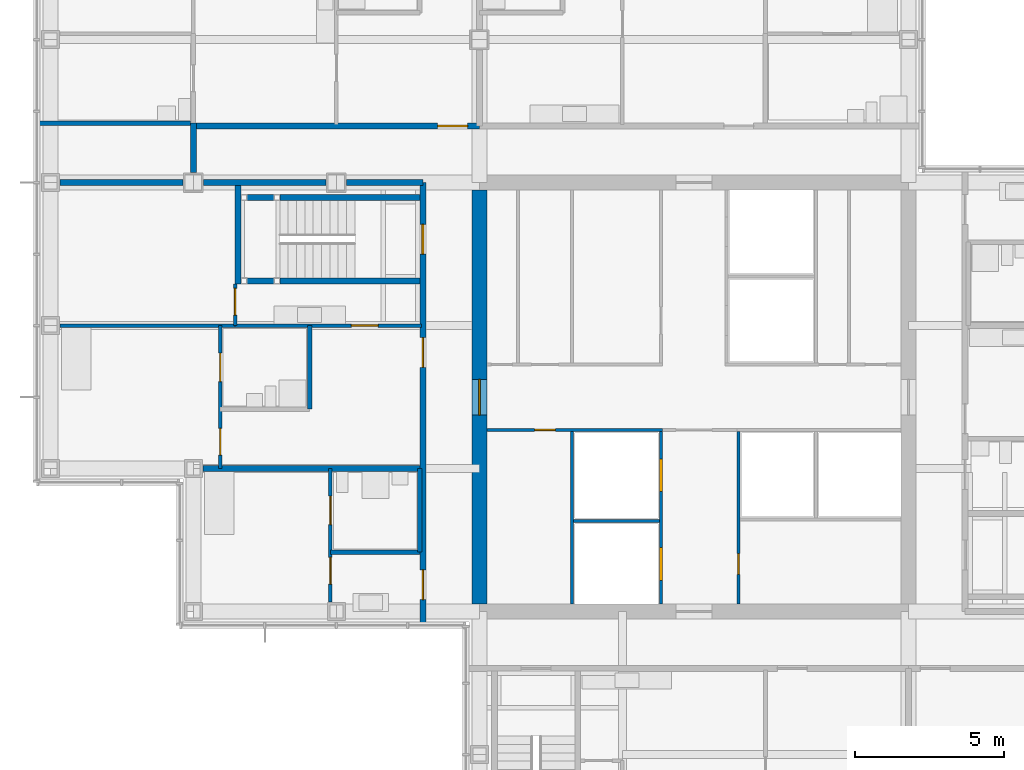
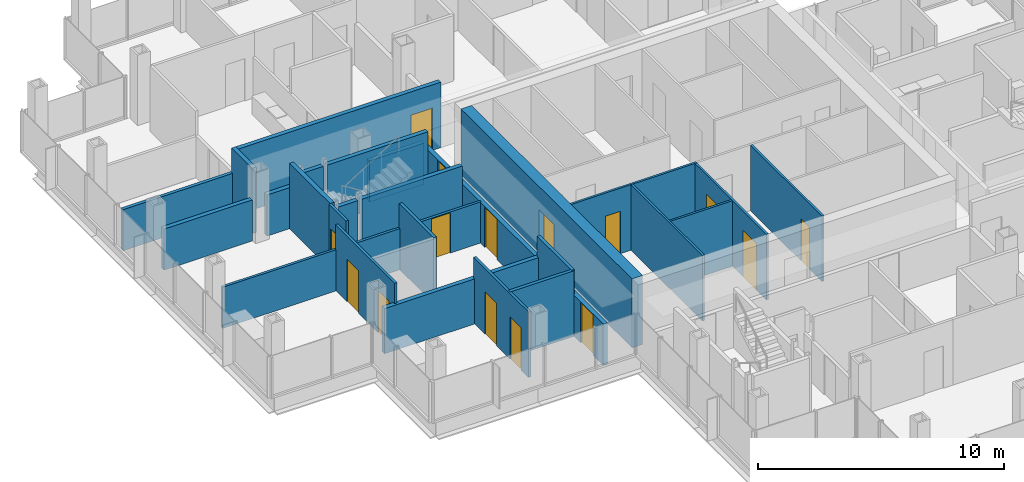
# One storey, part 14 of 20: 27 walls, 15 doors, 15 openings.
"""IFC4 building model written with IfcOpenShell, lengths in metres."""

from ifc_helpers import new_model, si_unit, direction, frame, frame_2d, origin, place, context, subcontext, project, spatial, rectangle, extrude, material, layer, layer_set, type_object, element, fill, save


model = new_model("IFC4")

# Units and contexts
model_context = context("Model", 3, precision=1e-05, world=origin(), true_north=direction((0.0, 1.0)))
body_context = subcontext(model_context, "Body", "Model", "MODEL_VIEW")
ifc_project = project(units=[si_unit("LENGTHUNIT", "METRE"), si_unit("AREAUNIT", "SQUARE_METRE"), si_unit("VOLUMEUNIT", "CUBIC_METRE"), si_unit("PLANEANGLEUNIT", "RADIAN"), si_unit("MASSUNIT", "GRAM", prefix="KILO")], contexts=[model_context])

# Site, building, storey
site_placement = place(None, origin())
site = spatial("IfcSite", under=ifc_project, at=site_placement, CompositionType="ELEMENT")
building_placement = place(site_placement, origin())
building = spatial("IfcBuilding", under=site, at=building_placement, Name="Kvirike Care Tower", CompositionType="ELEMENT")
storey_placement = place(building_placement, frame((0.0, 0.0, 133.0)))
storey = spatial("IfcBuildingStorey", under=building, at=storey_placement, Name="L36", CompositionType="ELEMENT", Elevation=133.0)

# Walls
ifc_material_1 = material(Name="Moisture-resistant board partition", Category="gypsum")
ifc_layer_1 = layer(ifc_material_1, 0.14990234375)
ifc_layer_set_1 = layer_set([ifc_layer_1], Name="BATHROOM WALL 150")
wall_type_1 = type_object("IfcWallType", Name="BATHROOM WALL 150", PredefinedType="PARTITIONING", material=ifc_layer_set_1)
wall_1_placement = place(storey_placement, frame((8.699951171875, 38.39990234375, 0.0), z_axis=(0.0, 0.0, 1.0), x_axis=(0.0, -1.0, 0.0)))
element("IfcWall", 1, at=wall_1_placement, inside=storey, type_object=wall_type_1, Name="Bathroom Wall 150 L36", PredefinedType="PARTITIONING", context=body_context, shape_type="SweptSolid", body=[
    extrude(rectangle(XDim=2.7998046875, YDim=0.14990234375, at=frame_2d((1.39990234375, 0.0))), origin(), (0.0, 0.0, 1.0), 3.25),
])
wall_2_placement = place(storey_placement, frame((9.39990234375, 30.800048828125, 0.0), z_axis=(0.0, 0.0, 1.0), x_axis=(1.0, 0.0, 0.0)))
element("IfcWall", 2, at=wall_2_placement, inside=storey, type_object=wall_type_1, Name="Bathroom Wall 150 L36", PredefinedType="PARTITIONING", context=body_context, shape_type="SweptSolid", body=[
    extrude(rectangle(XDim=3.0, YDim=0.14990234375, at=frame_2d((1.5, 0.0))), origin(), (0.0, 0.0, 1.0), 3.25),
])
wall_3_placement = place(storey_placement, frame((12.39990234375, 33.60009765625, 0.0), z_axis=(0.0, 0.0, 1.0), x_axis=(0.0, -1.0, 0.0)))
element("IfcWall", 3, at=wall_3_placement, inside=storey, type_object=wall_type_1, Name="Bathroom Wall 150 L36", PredefinedType="PARTITIONING", context=body_context, shape_type="SweptSolid", body=[
    extrude(rectangle(XDim=2.800048828125, YDim=0.14990234375, at=frame_2d((1.39990234375, 0.0))), origin(), (0.0, 0.0, 1.0), 3.25),
])
wall_4_placement = place(storey_placement, frame((4.699951171875, 45.199951171875, 0.0), z_axis=(0.0, 0.0, 1.0), x_axis=(-1.0, 0.0, 0.0)))
element("IfcWall", 4, at=wall_4_placement, inside=storey, type_object=wall_type_1, Name="Bathroom Wall 150 L36", PredefinedType="PARTITIONING", context=body_context, shape_type="SweptSolid", body=[
    extrude(rectangle(XDim=5.139892578125, YDim=0.14990234375, at=frame_2d((2.56982421875, 0.0))), origin(), (0.0, 0.0, 1.0), 2.0400390625),
])

# Wall, opening, door
ifc_material_2 = material(Name="Concrete C50/60", Category="concrete")
ifc_layer_2 = layer(ifc_material_2, 0.5)
ifc_layer_set_2 = layer_set([ifc_layer_2], Name="CORE WALL 500 C50-60")
wall_type_2 = type_object("IfcWallType", Name="CORE WALL 500 C50-60", PredefinedType="SHEAR", material=ifc_layer_set_2)
wall_5_placement = place(storey_placement, frame((14.39990234375, 42.949951171875, -0.169921875), z_axis=(0.0, 0.0, 1.0), x_axis=(0.0, -1.0, 0.0)))
wall_5 = element("IfcWall", 5, at=wall_5_placement, inside=storey, type_object=wall_type_2, Name="Core wall W L36", PredefinedType="SHEAR", context=body_context, shape_type="SweptSolid", body=[
    extrude(rectangle(XDim=13.89990234375, YDim=0.5, at=frame_2d((6.949951171875, 0.0))), origin(), (0.0, 0.0, 1.0), 3.419921875),
])
opening_1_placement = place(wall_5_placement, frame((6.35009765625, 0.0, 0.169921875)))
opening_1 = element("IfcOpeningElement", 6, at=opening_1_placement, cuts=wall_5, Name="Opening 36-057", PredefinedType="OPENING", context=body_context, shape_type="SweptSolid", body=[
    extrude(rectangle(XDim=1.199951171875, YDim=2.10009765625, at=frame_2d((0.60009765625, 1.050048828125))), frame((0.0, 0.260498046875, 0.0), z_axis=(0.0, -1.0, 0.0), x_axis=(1.0, 0.0, 0.0)), (0.0, 0.0, 1.0), 0.52099609375),
])
ifc_material_3 = material(Name="Timber door set", Category="wood")
door_type_1 = type_object("IfcDoorType", Name="CORE DOOR 1200", OperationType="SINGLE_SWING_LEFT", PredefinedType="DOOR", material=ifc_material_3)
door_1_placement = place(opening_1_placement, origin())
door_1 = element("IfcDoor", 7, at=door_1_placement, inside=storey, type_object=door_type_1, Name="Core door W L36", OperationType="SINGLE_SWING_LEFT", OverallHeight=2.10009765625, OverallWidth=1.199951171875, PredefinedType="DOOR", context=body_context, shape_type="SweptSolid", body=[
    extrude(rectangle(XDim=1.199951171875, YDim=2.10009765625, at=frame_2d((0.60009765625, 1.050048828125))), frame((0.0, 0.02685546875, 0.0), z_axis=(0.0, -1.0, 0.0), x_axis=(1.0, 0.0, 0.0)), (0.0, 0.0, 1.0), 0.053955078125),
])
fill(opening_1, door_1)

# Wall, openings, doors
ifc_material_4 = material(Name="Plasterboard corridor wall", Category="gypsum")
ifc_layer_3 = layer(ifc_material_4, 0.199951171875)
ifc_layer_set_3 = layer_set([ifc_layer_3], Name="CORRIDOR WALL 200")
wall_type_3 = type_object("IfcWallType", Name="CORRIDOR WALL 200", PredefinedType="PARTITIONING", material=ifc_layer_set_3)
wall_6_placement = place(storey_placement, frame((12.5, 43.199951171875, 0.0), z_axis=(0.0, 0.0, 1.0), x_axis=(0.0, -1.0, 0.0)))
wall_6 = element("IfcWall", 8, at=wall_6_placement, inside=storey, type_object=wall_type_3, Name="Corridor Wall 200 L36", PredefinedType="PARTITIONING", context=body_context, shape_type="SweptSolid", body=[
    extrude(rectangle(XDim=14.83984375, YDim=0.199951171875, at=frame_2d((7.419921875, 0.0))), origin(), (0.0, 0.0, 1.0), 2.0400390625),
])
opening_2_placement = place(wall_6_placement, frame((1.39990234375, 0.0, 0.0)))
opening_2 = element("IfcOpeningElement", 9, at=opening_2_placement, cuts=wall_6, Name="Opening 36-007", PredefinedType="OPENING", context=body_context, shape_type="SweptSolid", body=[
    extrude(rectangle(XDim=1.0, YDim=2.0, at=frame_2d((0.5, 1.0))), frame((0.0, 0.110595703125, 0.0), z_axis=(0.0, -1.0, 0.0), x_axis=(1.0, 0.0, 0.0)), (0.0, 0.0, 1.0), 0.220947265625),
])
opening_3_placement = place(wall_6_placement, frame((5.199951171875, 0.0, 0.0)))
opening_3 = element("IfcOpeningElement", 10, at=opening_3_placement, cuts=wall_6, Name="Opening 36-008", PredefinedType="OPENING", context=body_context, shape_type="SweptSolid", body=[
    extrude(rectangle(XDim=1.0, YDim=2.0, at=frame_2d((0.5, 1.0))), frame((0.0, 0.110595703125, 0.0), z_axis=(0.0, -1.0, 0.0), x_axis=(1.0, 0.0, 0.0)), (0.0, 0.0, 1.0), 0.220947265625),
])
opening_4_placement = place(wall_6_placement, frame((13.0, 0.0, 0.0)))
opening_4 = element("IfcOpeningElement", 11, at=opening_4_placement, cuts=wall_6, Name="Opening 36-009", PredefinedType="OPENING", context=body_context, shape_type="SweptSolid", body=[
    extrude(rectangle(XDim=1.0, YDim=2.0, at=frame_2d((0.5, 1.0))), frame((0.0, 0.110595703125, 0.0), z_axis=(0.0, -1.0, 0.0), x_axis=(1.0, 0.0, 0.0)), (0.0, 0.0, 1.0), 0.220947265625),
])
ifc_material_5 = material(Name="Timber door set", Category="wood")
door_type_2 = type_object("IfcDoorType", Name="FLAT ENTRANCE DOOR 1000 x 2000", OperationType="SINGLE_SWING_LEFT", PredefinedType="DOOR", material=ifc_material_5)
door_2_placement = place(opening_3_placement, frame((1.0, 0.0, 0.0), z_axis=(0.0, 0.0, 1.0), x_axis=(-1.0, 0.0, 0.0)))
door_2 = element("IfcDoor", 12, at=door_2_placement, inside=storey, type_object=door_type_2, Name="Assisted living suite entrance", OperationType="SINGLE_SWING_LEFT", OverallHeight=2.0, OverallWidth=1.0, PredefinedType="DOOR", context=body_context, shape_type="SweptSolid", body=[
    extrude(rectangle(XDim=1.0, YDim=2.0, at=frame_2d((0.5, 1.0))), frame((0.0, 0.02685546875, 0.0), z_axis=(0.0, -1.0, 0.0), x_axis=(1.0, 0.0, 0.0)), (0.0, 0.0, 1.0), 0.053955078125),
])
fill(opening_3, door_2)
door_3_placement = place(opening_4_placement, frame((1.0, 0.0, 0.0), z_axis=(0.0, 0.0, 1.0), x_axis=(-1.0, 0.0, 0.0)))
door_3 = element("IfcDoor", 13, at=door_3_placement, inside=storey, type_object=door_type_2, Name="Assisted living suite entrance", OperationType="SINGLE_SWING_RIGHT", OverallHeight=2.0, OverallWidth=1.0, PredefinedType="DOOR", context=body_context, shape_type="SweptSolid", body=[
    extrude(rectangle(XDim=1.0, YDim=2.0, at=frame_2d((0.5, 1.0))), frame((0.0, 0.02685546875, 0.0), z_axis=(0.0, -1.0, 0.0), x_axis=(1.0, 0.0, 0.0)), (0.0, 0.0, 1.0), 0.053955078125),
])
fill(opening_4, door_3)
ifc_material_6 = material(Name="Timber door set", Category="wood")
door_type_3 = type_object("IfcDoorType", Name="STAIR DOOR 1000 x 2000", OperationType="SINGLE_SWING_LEFT", PredefinedType="DOOR", material=ifc_material_6)
door_4_placement = place(opening_2_placement, frame((1.0, 0.0, 0.0), z_axis=(0.0, 0.0, 1.0), x_axis=(-1.0, 0.0, 0.0)))
door_4 = element("IfcDoor", 14, at=door_4_placement, inside=storey, type_object=door_type_3, Name="Stair 1 door", OperationType="SINGLE_SWING_RIGHT", OverallHeight=2.0, OverallWidth=1.0, PredefinedType="DOOR", context=body_context, shape_type="SweptSolid", body=[
    extrude(rectangle(XDim=1.0, YDim=2.0, at=frame_2d((0.5, 1.0))), frame((0.0, 0.031982421875, 0.0), z_axis=(0.0, -1.0, 0.0), x_axis=(1.0, 0.0, 0.0)), (0.0, 0.0, 1.0), 0.06396484375),
])
fill(opening_2, door_4)

# Wall, opening, door
wall_7_placement = place(storey_placement, frame((14.39990234375, 45.10009765625, 0.0), z_axis=(0.0, 0.0, 1.0), x_axis=(-1.0, 0.0, 0.0)))
wall_7 = element("IfcWall", 15, at=wall_7_placement, inside=storey, type_object=wall_type_3, Name="Corridor Wall 200 L36", PredefinedType="PARTITIONING", context=body_context, shape_type="SweptSolid", body=[
    extrude(rectangle(XDim=9.599853515625, YDim=0.199951171875, at=frame_2d((4.7998046875, 0.0))), origin(), (0.0, 0.0, 1.0), 3.25),
])
opening_5_placement = place(wall_7_placement, frame((0.39990234375, 0.0, 0.0)))
opening_5 = element("IfcOpeningElement", 16, at=opening_5_placement, cuts=wall_7, Name="Opening 36-015", PredefinedType="OPENING", context=body_context, shape_type="SweptSolid", body=[
    extrude(rectangle(XDim=1.0, YDim=2.10009765625, at=frame_2d((0.5, 1.050048828125))), frame((0.0, 0.110595703125, 0.0), z_axis=(0.0, -1.0, 0.0), x_axis=(1.0, 0.0, 0.0)), (0.0, 0.0, 1.0), 0.220947265625),
])
ifc_material_7 = material(Name="Timber door set", Category="wood")
door_type_4 = type_object("IfcDoorType", Name="FLAT ENTRANCE DOOR 1000", OperationType="SINGLE_SWING_LEFT", PredefinedType="DOOR", material=ifc_material_7)
door_5_placement = place(opening_5_placement, frame((1.0, 0.0, 0.0), z_axis=(0.0, 0.0, 1.0), x_axis=(-1.0, 0.0, 0.0)))
door_5 = element("IfcDoor", 17, at=door_5_placement, inside=storey, type_object=door_type_4, Name="Assisted living suite for couples entrance", OperationType="SINGLE_SWING_LEFT", OverallHeight=2.10009765625, OverallWidth=1.0, PredefinedType="DOOR", context=body_context, shape_type="SweptSolid", body=[
    extrude(rectangle(XDim=1.0, YDim=2.10009765625, at=frame_2d((0.5, 1.050048828125))), frame((0.0, 0.02685546875, 0.0), z_axis=(0.0, -1.0, 0.0), x_axis=(1.0, 0.0, 0.0)), (0.0, 0.0, 1.0), 0.053955078125),
])
fill(opening_5, door_5)

# Wall
wall_8_placement = place(storey_placement, frame((4.800048828125, 45.199951171875, 0.0), z_axis=(0.0, 0.0, 1.0), x_axis=(0.0, -1.0, 0.0)))
element("IfcWall", 18, at=wall_8_placement, inside=storey, type_object=wall_type_3, Name="Corridor Wall 200 L36", PredefinedType="PARTITIONING", context=body_context, shape_type="SweptSolid", body=[
    extrude(rectangle(XDim=1.655029296875, YDim=0.199951171875, at=frame_2d((0.82763671875, 0.0))), origin(), (0.0, 0.0, 1.0), 3.25),
])

# Wall, opening, door
ifc_material_8 = material(Name="Plasterboard partition", Category="gypsum")
ifc_layer_4 = layer(ifc_material_8, 0.1201171875)
ifc_layer_set_4 = layer_set([ifc_layer_4], Name="PARTITION 120")
wall_type_4 = type_object("IfcWallType", Name="PARTITION 120", PredefinedType="PARTITIONING", material=ifc_layer_set_4)
wall_9_placement = place(storey_placement, frame((6.199951171875, 38.39990234375, 0.0), z_axis=(0.0, 0.0, 1.0), x_axis=(1.0, 0.0, 0.0)))
wall_9 = element("IfcWall", 19, at=wall_9_placement, inside=storey, type_object=wall_type_4, Name="Partition 120 L36", PredefinedType="PARTITIONING", context=body_context, shape_type="SweptSolid", body=[
    extrude(rectangle(XDim=6.25, YDim=0.1201171875, at=frame_2d((3.125, 0.0))), origin(), (0.0, 0.0, 1.0), 2.0400390625),
])
opening_6_placement = place(wall_9_placement, frame((3.89990234375, 0.0, 0.0)))
opening_6 = element("IfcOpeningElement", 20, at=opening_6_placement, cuts=wall_9, Name="Opening 36-001", PredefinedType="OPENING", context=body_context, shape_type="SweptSolid", body=[
    extrude(rectangle(XDim=0.89990234375, YDim=2.0, at=frame_2d((0.449951171875, 1.0))), frame((0.0, 0.070556640625, 0.0), z_axis=(0.0, -1.0, 0.0), x_axis=(1.0, 0.0, 0.0)), (0.0, 0.0, 1.0), 0.14111328125),
])
ifc_material_9 = material(Name="Timber door set", Category="wood")
door_type_5 = type_object("IfcDoorType", Name="INTERNAL DOOR 900 x 2000", OperationType="SINGLE_SWING_LEFT", PredefinedType="DOOR", material=ifc_material_9)
door_6_placement = place(opening_6_placement, origin())
door_6 = element("IfcDoor", 21, at=door_6_placement, inside=storey, type_object=door_type_5, Name="Hall door", OperationType="SINGLE_SWING_LEFT", OverallHeight=2.0, OverallWidth=0.89990234375, PredefinedType="DOOR", context=body_context, shape_type="SweptSolid", body=[
    extrude(rectangle(XDim=0.89990234375, YDim=2.0, at=frame_2d((0.449951171875, 1.0))), frame((0.0, 0.02197265625, 0.0), z_axis=(0.0, -1.0, 0.0), x_axis=(1.0, 0.0, 0.0)), (0.0, 0.0, 1.0), 0.0439453125),
])
fill(opening_6, door_6)

wall_10_placement = place(storey_placement, frame((6.199951171875, 39.800048828125, 0.0), z_axis=(0.0, 0.0, 1.0), x_axis=(0.0, -1.0, 0.0)))
wall_10 = element("IfcWall", 22, at=wall_10_placement, inside=storey, type_object=wall_type_4, Name="Partition 120 L36", PredefinedType="PARTITIONING", context=body_context, shape_type="SweptSolid", body=[
    extrude(rectangle(XDim=1.400146484375, YDim=0.1201171875, at=frame_2d((0.7001953125, 0.0))), origin(), (0.0, 0.0, 1.0), 3.25),
])
opening_7_placement = place(wall_10_placement, frame((0.14990234375, 0.0, 0.0)))
opening_7 = element("IfcOpeningElement", 23, at=opening_7_placement, cuts=wall_10, Name="Opening 36-002", PredefinedType="OPENING", context=body_context, shape_type="SweptSolid", body=[
    extrude(rectangle(XDim=0.89990234375, YDim=2.10009765625, at=frame_2d((0.449951171875, 1.050048828125))), frame((0.0, 0.070556640625, 0.0), z_axis=(0.0, -1.0, 0.0), x_axis=(1.0, 0.0, 0.0)), (0.0, 0.0, 1.0), 0.14111328125),
])
ifc_material_10 = material(Name="Timber door set", Category="wood")
door_type_6 = type_object("IfcDoorType", Name="INTERNAL DOOR 900", OperationType="SINGLE_SWING_LEFT", PredefinedType="DOOR", material=ifc_material_10)
door_7_placement = place(opening_7_placement, origin())
door_7 = element("IfcDoor", 24, at=door_7_placement, inside=storey, type_object=door_type_6, Name="Suite sitting room door", OperationType="SINGLE_SWING_RIGHT", OverallHeight=2.10009765625, OverallWidth=0.89990234375, PredefinedType="DOOR", context=body_context, shape_type="SweptSolid", body=[
    extrude(rectangle(XDim=0.89990234375, YDim=2.10009765625, at=frame_2d((0.449951171875, 1.050048828125))), frame((0.0, 0.02197265625, 0.0), z_axis=(0.0, -1.0, 0.0), x_axis=(1.0, 0.0, 0.0)), (0.0, 0.0, 1.0), 0.0439453125),
])
fill(opening_7, door_7)

# Wall, openings, doors
wall_11_placement = place(storey_placement, frame((5.699951171875, 38.39990234375, 0.0), z_axis=(0.0, 0.0, 1.0), x_axis=(0.0, -1.0, 0.0)))
wall_11 = element("IfcWall", 25, at=wall_11_placement, inside=storey, type_object=wall_type_4, Name="Partition 120 L36", PredefinedType="PARTITIONING", context=body_context, shape_type="SweptSolid", body=[
    extrude(rectangle(XDim=4.7998046875, YDim=0.1201171875, at=frame_2d((2.39990234375, 0.0))), origin(), (0.0, 0.0, 1.0), 3.25),
])
opening_8_placement = place(wall_11_placement, frame((3.449951171875, 0.0, 0.0)))
opening_8 = element("IfcOpeningElement", 26, at=opening_8_placement, cuts=wall_11, Name="Opening 36-003", PredefinedType="OPENING", context=body_context, shape_type="SweptSolid", body=[
    extrude(rectangle(XDim=0.89990234375, YDim=2.10009765625, at=frame_2d((0.449951171875, 1.050048828125))), frame((0.0, 0.070556640625, 0.0), z_axis=(0.0, -1.0, 0.0), x_axis=(1.0, 0.0, 0.0)), (0.0, 0.0, 1.0), 0.14111328125),
])
opening_9_placement = place(wall_11_placement, frame((0.925048828125, 0.0, 0.0)))
opening_9 = element("IfcOpeningElement", 27, at=opening_9_placement, cuts=wall_11, Name="Opening 36-004", PredefinedType="OPENING", context=body_context, shape_type="SweptSolid", body=[
    extrude(rectangle(XDim=0.949951171875, YDim=2.10009765625, at=frame_2d((0.47509765625, 1.050048828125))), frame((0.0, 0.070556640625, 0.0), z_axis=(0.0, -1.0, 0.0), x_axis=(1.0, 0.0, 0.0)), (0.0, 0.0, 1.0), 0.14111328125),
])
ifc_material_11 = material(Name="Timber door set", Category="wood")
door_type_7 = type_object("IfcDoorType", Name="EN-SUITE SLIDING DOOR 950", OperationType="SLIDING_TO_LEFT", PredefinedType="DOOR", material=ifc_material_11)
door_8_placement = place(opening_9_placement, origin())
door_8 = element("IfcDoor", 28, at=door_8_placement, inside=storey, type_object=door_type_7, Name="En-suite door", OperationType="SLIDING_TO_RIGHT", OverallHeight=2.10009765625, OverallWidth=0.949951171875, PredefinedType="DOOR", context=body_context, shape_type="SweptSolid", body=[
    extrude(rectangle(XDim=0.949951171875, YDim=2.10009765625, at=frame_2d((0.47509765625, 1.050048828125))), frame((0.0, 0.02197265625, 0.0), z_axis=(0.0, -1.0, 0.0), x_axis=(1.0, 0.0, 0.0)), (0.0, 0.0, 1.0), 0.0439453125),
])
fill(opening_9, door_8)
door_9_placement = place(opening_8_placement, origin())
door_9 = element("IfcDoor", 29, at=door_9_placement, inside=storey, type_object=door_type_6, Name="Assisted living suite door", OperationType="SINGLE_SWING_LEFT", OverallHeight=2.10009765625, OverallWidth=0.89990234375, PredefinedType="DOOR", context=body_context, shape_type="SweptSolid", body=[
    extrude(rectangle(XDim=0.89990234375, YDim=2.10009765625, at=frame_2d((0.449951171875, 1.050048828125))), frame((0.0, 0.02197265625, 0.0), z_axis=(0.0, -1.0, 0.0), x_axis=(1.0, 0.0, 0.0)), (0.0, 0.0, 1.0), 0.0439453125),
])
fill(opening_8, door_9)

# Wall
wall_12_placement = place(storey_placement, frame((0.320068359375, 38.39990234375, 0.0), z_axis=(0.0, 0.0, 1.0), x_axis=(1.0, 0.0, 0.0)))
element("IfcWall", 30, at=wall_12_placement, inside=storey, type_object=wall_type_4, Name="Partition 120 L36", PredefinedType="PARTITIONING", context=body_context, shape_type="SweptSolid", body=[
    extrude(rectangle(XDim=5.8798828125, YDim=0.1201171875, at=frame_2d((2.93994140625, 0.0))), origin(), (0.0, 0.0, 1.0), 2.0400390625),
])

# Wall, openings, doors
wall_13_placement = place(storey_placement, frame((9.39990234375, 33.60009765625, 0.0), z_axis=(0.0, 0.0, 1.0), x_axis=(0.0, -1.0, 0.0)))
wall_13 = element("IfcWall", 31, at=wall_13_placement, inside=storey, type_object=wall_type_4, Name="Partition 120 L36", PredefinedType="PARTITIONING", context=body_context, shape_type="SweptSolid", body=[
    extrude(rectangle(XDim=4.47998046875, YDim=0.1201171875, at=frame_2d((2.239990234375, 0.0))), origin(), (0.0, 0.0, 1.0), 3.25),
])
opening_10_placement = place(wall_13_placement, frame((2.97509765625, 0.0, 0.0)))
opening_10 = element("IfcOpeningElement", 32, at=opening_10_placement, cuts=wall_13, Name="Opening 36-005", PredefinedType="OPENING", context=body_context, shape_type="SweptSolid", body=[
    extrude(rectangle(XDim=0.89990234375, YDim=2.10009765625, at=frame_2d((0.449951171875, 1.050048828125))), frame((0.0, 0.070556640625, 0.0), z_axis=(0.0, -1.0, 0.0), x_axis=(1.0, 0.0, 0.0)), (0.0, 0.0, 1.0), 0.14111328125),
])
opening_11_placement = place(wall_13_placement, frame((0.925048828125, 0.0, 0.0)))
opening_11 = element("IfcOpeningElement", 33, at=opening_11_placement, cuts=wall_13, Name="Opening 36-006", PredefinedType="OPENING", context=body_context, shape_type="SweptSolid", body=[
    extrude(rectangle(XDim=0.949951171875, YDim=2.10009765625, at=frame_2d((0.47509765625, 1.050048828125))), frame((0.0, 0.070556640625, 0.0), z_axis=(0.0, -1.0, 0.0), x_axis=(1.0, 0.0, 0.0)), (0.0, 0.0, 1.0), 0.14111328125),
])
door_10_placement = place(opening_11_placement, origin())
door_10 = element("IfcDoor", 34, at=door_10_placement, inside=storey, type_object=door_type_7, Name="En-suite door", OperationType="SLIDING_TO_LEFT", OverallHeight=2.10009765625, OverallWidth=0.949951171875, PredefinedType="DOOR", context=body_context, shape_type="SweptSolid", body=[
    extrude(rectangle(XDim=0.949951171875, YDim=2.10009765625, at=frame_2d((0.47509765625, 1.050048828125))), frame((0.0, 0.02197265625, 0.0), z_axis=(0.0, -1.0, 0.0), x_axis=(1.0, 0.0, 0.0)), (0.0, 0.0, 1.0), 0.0439453125),
])
fill(opening_11, door_10)
door_11_placement = place(opening_10_placement, origin())
door_11 = element("IfcDoor", 35, at=door_11_placement, inside=storey, type_object=door_type_6, Name="Assisted living suite door", OperationType="SINGLE_SWING_RIGHT", OverallHeight=2.10009765625, OverallWidth=0.89990234375, PredefinedType="DOOR", context=body_context, shape_type="SweptSolid", body=[
    extrude(rectangle(XDim=0.89990234375, YDim=2.10009765625, at=frame_2d((0.449951171875, 1.050048828125))), frame((0.0, 0.02197265625, 0.0), z_axis=(0.0, -1.0, 0.0), x_axis=(1.0, 0.0, 0.0)), (0.0, 0.0, 1.0), 0.0439453125),
])
fill(opening_10, door_11)

# Walls
ifc_material_12 = material(Name="Plasterboard party wall", Category="gypsum")
ifc_layer_5 = layer(ifc_material_12, 0.199951171875)
ifc_layer_set_5 = layer_set([ifc_layer_5], Name="PARTY WALL 200")
wall_type_5 = type_object("IfcWallType", Name="PARTY WALL 200", PredefinedType="PARTITIONING", material=ifc_layer_set_5)
wall_14_placement = place(storey_placement, frame((5.1201171875, 33.60009765625, 0.0), z_axis=(0.0, 0.0, 1.0), x_axis=(1.0, 0.0, 0.0)))
element("IfcWall", 36, at=wall_14_placement, inside=storey, type_object=wall_type_5, Name="Party Wall 200 L36", PredefinedType="PARTITIONING", context=body_context, shape_type="SweptSolid", body=[
    extrude(rectangle(XDim=7.27978515625, YDim=0.199951171875, at=frame_2d((3.639892578125, 0.0))), origin(), (0.0, 0.0, 1.0), 2.239990234375),
])
wall_15_placement = place(storey_placement, frame((12.5, 43.199951171875, 0.0), z_axis=(0.0, 0.0, 1.0), x_axis=(-1.0, 0.0, 0.0)))
element("IfcWall", 37, at=wall_15_placement, inside=storey, type_object=wall_type_5, Name="Party Wall 200 L36", PredefinedType="PARTITIONING", context=body_context, shape_type="SweptSolid", body=[
    extrude(rectangle(XDim=2.554931640625, YDim=0.199951171875, at=frame_2d((1.27734375, 0.0))), origin(), (0.0, 0.0, 1.0), 2.0400390625),
])
wall_16_placement = place(storey_placement, frame((9.2548828125, 43.199951171875, 0.0), z_axis=(0.0, 0.0, 1.0), x_axis=(-1.0, 0.0, 0.0)))
element("IfcWall", 38, at=wall_16_placement, inside=storey, type_object=wall_type_5, Name="Party Wall 200 L36", PredefinedType="PARTITIONING", context=body_context, shape_type="SweptSolid", body=[
    extrude(rectangle(XDim=4.10986328125, YDim=0.199951171875, at=frame_2d((2.054931640625, 0.0))), origin(), (0.0, 0.0, 1.0), 2.0400390625),
])
wall_17_placement = place(storey_placement, frame((4.455078125, 43.199951171875, 0.0), z_axis=(0.0, 0.0, 1.0), x_axis=(-1.0, 0.0, 0.0)))
element("IfcWall", 39, at=wall_17_placement, inside=storey, type_object=wall_type_5, Name="Party Wall 200 L36", PredefinedType="PARTITIONING", context=body_context, shape_type="SweptSolid", body=[
    extrude(rectangle(XDim=4.135009765625, YDim=0.199951171875, at=frame_2d((2.0673828125, 0.0))), origin(), (0.0, 0.0, 1.0), 2.0400390625),
])

# Wall, openings, doors
ifc_material_13 = material(Name="Gypsum shaft wall system", Category="gypsum")
ifc_layer_6 = layer(ifc_material_13, 0.10009765625)
ifc_layer_set_6 = layer_set([ifc_layer_6], Name="SHAFT WALL 100")
wall_type_6 = type_object("IfcWallType", Name="SHAFT WALL 100", PredefinedType="SOLIDWALL", material=ifc_layer_set_6)
wall_18_placement = place(storey_placement, frame((20.5, 29.050048828125, 0.0), z_axis=(0.0, 0.0, 1.0), x_axis=(0.0, 1.0, 0.0)))
wall_18 = element("IfcWall", 40, at=wall_18_placement, inside=storey, type_object=wall_type_6, Name="Shaft Wall 100 L36", PredefinedType="SOLIDWALL", context=body_context, shape_type="SweptSolid", body=[
    extrude(rectangle(XDim=5.800048828125, YDim=0.10009765625, at=frame_2d((2.89990234375, 0.0))), origin(), (0.0, 0.0, 1.0), 3.25),
])
opening_12_placement = place(wall_18_placement, frame((0.800048828125, 0.0, 0.0)))
opening_12 = element("IfcOpeningElement", 41, at=opening_12_placement, cuts=wall_18, Name="Opening 36-044", PredefinedType="OPENING", context=body_context, shape_type="SweptSolid", body=[
    extrude(rectangle(XDim=1.10009765625, YDim=2.300048828125, at=frame_2d((0.550048828125, 1.14990234375))), frame((0.0, 0.060546875, 0.0), z_axis=(0.0, -1.0, 0.0), x_axis=(1.0, 0.0, 0.0)), (0.0, 0.0, 1.0), 0.12109375),
])
opening_13_placement = place(wall_18_placement, frame((3.77490234375, 0.0, 0.0)))
opening_13 = element("IfcOpeningElement", 42, at=opening_13_placement, cuts=wall_18, Name="Opening 36-045", PredefinedType="OPENING", context=body_context, shape_type="SweptSolid", body=[
    extrude(rectangle(XDim=1.10009765625, YDim=2.300048828125, at=frame_2d((0.550048828125, 1.14990234375))), frame((0.0, 0.060546875, 0.0), z_axis=(0.0, -1.0, 0.0), x_axis=(1.0, 0.0, 0.0)), (0.0, 0.0, 1.0), 0.12109375),
])
ifc_material_14 = material(Name="Aluminium door frame", Category="aluminium")
door_type_8 = type_object("IfcDoorType", Name="FIRE-FIGHTING LIFT LANDING DOOR 1100", OperationType="SLIDING_TO_LEFT", PredefinedType="DOOR", material=ifc_material_14)
door_12_placement = place(opening_12_placement, origin())
door_12 = element("IfcDoor", 43, at=door_12_placement, inside=storey, type_object=door_type_8, Name="Lift FF1 landing door", OperationType="SLIDING_TO_LEFT", OverallHeight=2.300048828125, OverallWidth=1.10009765625, PredefinedType="DOOR", context=body_context, shape_type="SweptSolid", body=[
    extrude(rectangle(XDim=1.10009765625, YDim=2.300048828125, at=frame_2d((0.550048828125, 1.14990234375))), frame((0.0, 0.0498046875, 0.0), z_axis=(0.0, -1.0, 0.0), x_axis=(1.0, 0.0, 0.0)), (0.0, 0.0, 1.0), 0.099609375),
])
fill(opening_12, door_12)
door_13_placement = place(opening_13_placement, origin())
door_13 = element("IfcDoor", 44, at=door_13_placement, inside=storey, type_object=door_type_8, Name="Lift FF2 landing door", OperationType="SLIDING_TO_LEFT", OverallHeight=2.300048828125, OverallWidth=1.10009765625, PredefinedType="DOOR", context=body_context, shape_type="SweptSolid", body=[
    extrude(rectangle(XDim=1.10009765625, YDim=2.300048828125, at=frame_2d((0.550048828125, 1.14990234375))), frame((0.0, 0.0498046875, 0.0), z_axis=(0.0, -1.0, 0.0), x_axis=(1.0, 0.0, 0.0)), (0.0, 0.0, 1.0), 0.099609375),
])
fill(opening_13, door_13)

# Wall, opening, door
wall_19_placement = place(storey_placement, frame((23.10009765625, 29.050048828125, 0.0), z_axis=(0.0, 0.0, 1.0), x_axis=(0.0, 1.0, 0.0)))
wall_19 = element("IfcWall", 45, at=wall_19_placement, inside=storey, type_object=wall_type_6, Name="Shaft Wall 100 L36", PredefinedType="SOLIDWALL", context=body_context, shape_type="SweptSolid", body=[
    extrude(rectangle(XDim=5.800048828125, YDim=0.10009765625, at=frame_2d((2.89990234375, 0.0))), origin(), (0.0, 0.0, 1.0), 3.25),
])
opening_14_placement = place(wall_19_placement, frame((1.0, 0.0, 0.0)))
opening_14 = element("IfcOpeningElement", 46, at=opening_14_placement, cuts=wall_19, Name="Opening 36-049", PredefinedType="OPENING", context=body_context, shape_type="SweptSolid", body=[
    extrude(rectangle(XDim=0.699951171875, YDim=2.10009765625, at=frame_2d((0.35009765625, 1.050048828125))), frame((0.0, 0.060546875, 0.0), z_axis=(0.0, -1.0, 0.0), x_axis=(1.0, 0.0, 0.0)), (0.0, 0.0, 1.0), 0.12109375),
])
ifc_material_15 = material(Name="Timber door set", Category="wood")
door_type_9 = type_object("IfcDoorType", Name="RISER DOOR 700", OperationType="SINGLE_SWING_LEFT", PredefinedType="DOOR", material=ifc_material_15)
door_14_placement = place(opening_14_placement, origin())
door_14 = element("IfcDoor", 47, at=door_14_placement, inside=storey, type_object=door_type_9, Name="Riser door", OperationType="SINGLE_SWING_RIGHT", OverallHeight=2.10009765625, OverallWidth=0.699951171875, PredefinedType="DOOR", context=body_context, shape_type="SweptSolid", body=[
    extrude(rectangle(XDim=0.699951171875, YDim=2.10009765625, at=frame_2d((0.35009765625, 1.050048828125))), frame((0.0, 0.02685546875, 0.0), z_axis=(0.0, -1.0, 0.0), x_axis=(1.0, 0.0, 0.0)), (0.0, 0.0, 1.0), 0.053955078125),
])
fill(opening_14, door_14)

wall_20_placement = place(storey_placement, frame((14.64990234375, 34.89990234375, 0.0), z_axis=(0.0, 0.0, 1.0), x_axis=(1.0, 0.0, 0.0)))
wall_20 = element("IfcWall", 48, at=wall_20_placement, inside=storey, type_object=wall_type_6, Name="Shaft Wall 100 L36", PredefinedType="SOLIDWALL", context=body_context, shape_type="SweptSolid", body=[
    extrude(rectangle(XDim=5.900146484375, YDim=0.10009765625, at=frame_2d((2.9501953125, 0.0))), origin(), (0.0, 0.0, 1.0), 3.25),
])
opening_15_placement = place(wall_20_placement, frame((1.60009765625, 0.0, 0.0)))
opening_15 = element("IfcOpeningElement", 49, at=opening_15_placement, cuts=wall_20, Name="Opening 36-050", PredefinedType="OPENING", context=body_context, shape_type="SweptSolid", body=[
    extrude(rectangle(XDim=0.699951171875, YDim=2.10009765625, at=frame_2d((0.35009765625, 1.050048828125))), frame((0.0, 0.060546875, 0.0), z_axis=(0.0, -1.0, 0.0), x_axis=(1.0, 0.0, 0.0)), (0.0, 0.0, 1.0), 0.12109375),
])
door_15_placement = place(opening_15_placement, frame((0.699951171875, 0.0, 0.0), z_axis=(0.0, 0.0, 1.0), x_axis=(-1.0, 0.0, 0.0)))
door_15 = element("IfcDoor", 50, at=door_15_placement, inside=storey, type_object=door_type_9, Name="Riser door", OperationType="SINGLE_SWING_RIGHT", OverallHeight=2.10009765625, OverallWidth=0.699951171875, PredefinedType="DOOR", context=body_context, shape_type="SweptSolid", body=[
    extrude(rectangle(XDim=0.699951171875, YDim=2.10009765625, at=frame_2d((0.35009765625, 1.050048828125))), frame((0.0, 0.02685546875, 0.0), z_axis=(0.0, -1.0, 0.0), x_axis=(1.0, 0.0, 0.0)), (0.0, 0.0, 1.0), 0.053955078125),
])
fill(opening_15, door_15)

# Walls
wall_21_placement = place(storey_placement, frame((17.5, 29.050048828125, 0.0), z_axis=(0.0, 0.0, 1.0), x_axis=(0.0, 1.0, 0.0)))
element("IfcWall", 51, at=wall_21_placement, inside=storey, type_object=wall_type_6, Name="Shaft Wall 100 L36", PredefinedType="SOLIDWALL", context=body_context, shape_type="SweptSolid", body=[
    extrude(rectangle(XDim=5.800048828125, YDim=0.10009765625, at=frame_2d((2.89990234375, 0.0))), origin(), (0.0, 0.0, 1.0), 3.25),
])
wall_22_placement = place(storey_placement, frame((17.550048828125, 31.85009765625, 0.0), z_axis=(0.0, 0.0, 1.0), x_axis=(1.0, 0.0, 0.0)))
element("IfcWall", 52, at=wall_22_placement, inside=storey, type_object=wall_type_6, Name="Shaft Wall 100 L36", PredefinedType="SOLIDWALL", context=body_context, shape_type="SweptSolid", body=[
    extrude(rectangle(XDim=2.89990234375, YDim=0.10009765625, at=frame_2d((1.449951171875, 0.0))), origin(), (0.0, 0.0, 1.0), 3.25),
])
ifc_material_16 = material(Name="Concrete C40/50", Category="concrete")
ifc_layer_7 = layer(ifc_material_16, 0.199951171875)
ifc_layer_set_7 = layer_set([ifc_layer_7], Name="STAIR WALL 200")
wall_type_7 = type_object("IfcWallType", Name="STAIR WALL 200", PredefinedType="SOLIDWALL", material=ifc_layer_set_7)
wall_23_placement = place(storey_placement, frame((6.60009765625, 42.699951171875, 0.0), z_axis=(0.0, 0.0, 1.0), x_axis=(1.0, 0.0, 0.0)))
element("IfcWall", 53, at=wall_23_placement, inside=storey, type_object=wall_type_7, Name="Stair Wall 200 L36", PredefinedType="SOLIDWALL", context=body_context, shape_type="SweptSolid", body=[
    extrude(rectangle(XDim=0.89990234375, YDim=0.199951171875, at=frame_2d((0.449951171875, 0.0))), origin(), (0.0, 0.0, 1.0), 2.93994140625),
])
wall_24_placement = place(storey_placement, frame((7.699951171875, 42.699951171875, 0.0), z_axis=(0.0, 0.0, 1.0), x_axis=(1.0, 0.0, 0.0)))
element("IfcWall", 54, at=wall_24_placement, inside=storey, type_object=wall_type_7, Name="Stair Wall 200 L36", PredefinedType="SOLIDWALL", context=body_context, shape_type="SweptSolid", body=[
    extrude(rectangle(XDim=4.699951171875, YDim=0.199951171875, at=frame_2d((2.35009765625, 0.0))), origin(), (0.0, 0.0, 1.0), 2.93994140625),
])
wall_25_placement = place(storey_placement, frame((6.60009765625, 39.89990234375, 0.0), z_axis=(0.0, 0.0, 1.0), x_axis=(1.0, 0.0, 0.0)))
element("IfcWall", 55, at=wall_25_placement, inside=storey, type_object=wall_type_7, Name="Stair Wall 200 L36", PredefinedType="SOLIDWALL", context=body_context, shape_type="SweptSolid", body=[
    extrude(rectangle(XDim=0.89990234375, YDim=0.199951171875, at=frame_2d((0.449951171875, 0.0))), origin(), (0.0, 0.0, 1.0), 2.93994140625),
])
wall_26_placement = place(storey_placement, frame((7.699951171875, 39.89990234375, 0.0), z_axis=(0.0, 0.0, 1.0), x_axis=(1.0, 0.0, 0.0)))
element("IfcWall", 56, at=wall_26_placement, inside=storey, type_object=wall_type_7, Name="Stair Wall 200 L36", PredefinedType="SOLIDWALL", context=body_context, shape_type="SweptSolid", body=[
    extrude(rectangle(XDim=4.699951171875, YDim=0.199951171875, at=frame_2d((2.35009765625, 0.0))), origin(), (0.0, 0.0, 1.0), 2.93994140625),
])
wall_27_placement = place(storey_placement, frame((6.300048828125, 43.10009765625, 0.0), z_axis=(0.0, 0.0, 1.0), x_axis=(0.0, -1.0, 0.0)))
element("IfcWall", 57, at=wall_27_placement, inside=storey, type_object=wall_type_7, Name="Stair Wall 200 L36", PredefinedType="SOLIDWALL", context=body_context, shape_type="SweptSolid", body=[
    extrude(rectangle(XDim=3.300048828125, YDim=0.199951171875, at=frame_2d((1.64990234375, 0.0))), origin(), (0.0, 0.0, 1.0), 3.25),
])

save(model, "model.ifc")
